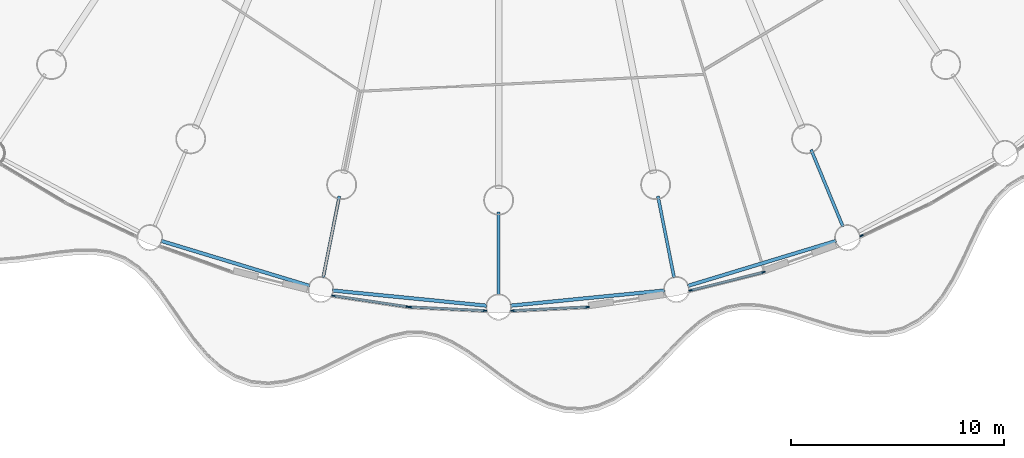
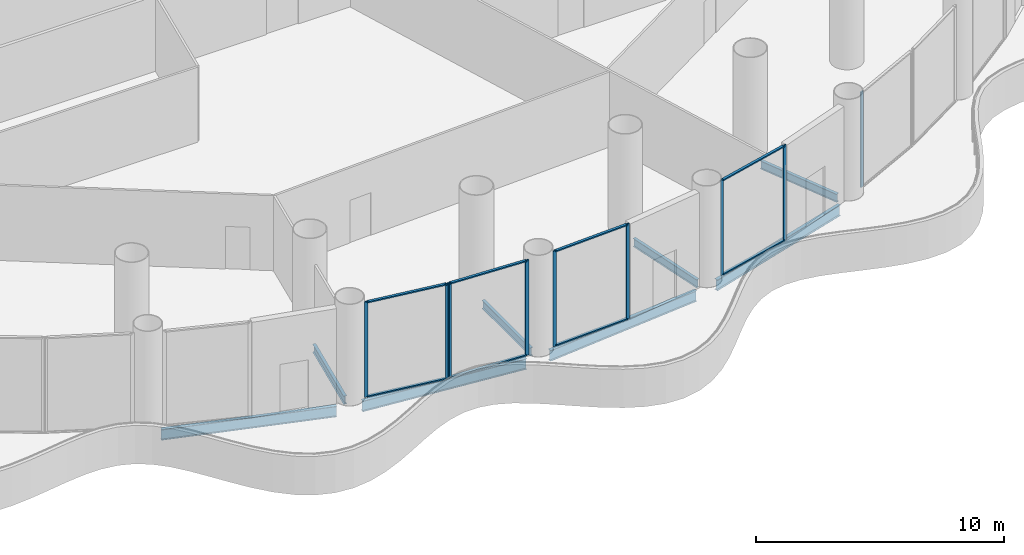
# One storey, part 5 of 35: 17 members, 8 beams, 5 elements without a shape of their own.
"""IFC4 building model written with IfcOpenShell, lengths in metres."""

from ifc_helpers import new_model, si_unit, direction, frame, origin, origin_2d, place, context, subcontext, project, spatial, rectangle, i_section, extrude, material, material_profile, profile_set, type_object, element, aggregate, save


model = new_model("IFC4")

# Units and contexts
model_context = context("Model", 3, precision=1e-05, world=origin(), true_north=direction((0.0, 1.0)))
body_context = subcontext(model_context, "Body", "Model", "MODEL_VIEW")
ifc_project = project(units=[si_unit("LENGTHUNIT", "METRE"), si_unit("AREAUNIT", "SQUARE_METRE"), si_unit("VOLUMEUNIT", "CUBIC_METRE"), si_unit("PLANEANGLEUNIT", "RADIAN"), si_unit("MASSUNIT", "GRAM", prefix="KILO")], contexts=[model_context])

# Site, building, storey
site_placement = place(None, origin())
site = spatial("IfcSite", under=ifc_project, at=site_placement, CompositionType="ELEMENT")
building_placement = place(site_placement, origin())
building = spatial("IfcBuilding", under=site, at=building_placement, Name="Corvane Civic Tower", CompositionType="ELEMENT")
storey_placement = place(building_placement, frame((0.0, 0.0, 22.0)))
storey = spatial("IfcBuildingStorey", under=building, at=storey_placement, Name="L04", CompositionType="ELEMENT", Elevation=22.0)

# Beams
ifc_material_1 = material(Name="Steel ASTM A992 Gr 50", Category="steel")
ifc_material_profile_1 = material_profile(ifc_material_1, i_section(OverallWidth=0.165771484375, OverallDepth=0.5283203125, WebThickness=0.009765625, FlangeThickness=0.013671875, at=origin_2d()), Name="W21X50")
ifc_profile_set_1 = profile_set([ifc_material_profile_1], Name="Steel ASTM A992 Gr 50")
beam_type_1 = type_object("IfcBeamType", Name="EDGE BEAM W21X50", PredefinedType="BEAM", material=ifc_profile_set_1)
for number, where, z_axis, x_axis, name in (
    (1, (15.814208984375, -39.609375, -0.564208984375), (-0.956938225664, -0.290291633127, 0.0), (0.290291633127, -0.956938225664, 0.0), "BM-L04-E15"),
    (2, (7.782958984375, -41.93359375, -0.564208984375), (-0.995187967953, -0.097984225478, 0.0), (0.097984225478, -0.995187967953, 0.0), "BM-L04-E16"),
    (3, (-0.54736328125, -42.64599609375, -0.564208984375), (-0.995187967953, 0.097984225478, 0.0), (-0.097984225478, -0.995187967953, 0.0), "BM-L04-E17"),
    (4, (-8.856689453125, -41.719970703125, -0.564208984375), (-0.956938225664, 0.290291633127, 0.0), (-0.290291633127, -0.956938225664, 0.0), "BM-L04-E18"),
):
    element("IfcBeam", number, at=place(storey_placement, frame(where, z_axis=z_axis, x_axis=x_axis)), inside=storey, type_object=beam_type_1, Name=name, PredefinedType="BEAM", context=body_context, shape_type="SweptSolid", body=[
        extrude(i_section(OverallWidth=0.165771484375, OverallDepth=0.5283203125, WebThickness=0.009765625, FlangeThickness=0.013671875, at=origin_2d()), origin(), (0.0, 0.0, 1.0), 7.2705078125),
    ])
ifc_material_2 = material(Name="Steel ASTM A992 Gr 50", Category="steel")
ifc_material_profile_2 = material_profile(ifc_material_2, i_section(OverallWidth=0.140380859375, OverallDepth=0.40380859375, WebThickness=0.007080078125, FlangeThickness=0.01123046875, at=origin_2d()), Name="W16X31")
ifc_profile_set_2 = profile_set([ifc_material_profile_2], Name="Steel ASTM A992 Gr 50")
beam_type_2 = type_object("IfcBeamType", Name="FLOOR GIRDER W16X31", PredefinedType="BEAM", material=ifc_profile_set_2)
for number, where, z_axis, x_axis, name in (
    (5, (14.6376953125, -35.33837890625, -0.501953125), (0.382685369162, -0.923878730261, 0.0), (0.923878730261, 0.382685369162, 0.0), "BM-L04-G15b"),
    (6, (7.462158203125, -37.51513671875, -0.501953125), (0.195128858343, -0.980777614264, 0.0), (0.980777614264, 0.195128858343, 0.0), "BM-L04-G16b"),
    (7, (0.0, -38.25, -0.501953125), (0.0, -1.0, 0.0), (1.0, 0.0, 0.0), "BM-L04-G17b"),
    (8, (-7.462158203125, -37.51513671875, -0.501953125), (-0.195128858343, -0.980777614264, 0.0), (0.980777614264, -0.195128858343, 0.0), "BM-L04-G18b"),
):
    element("IfcBeam", number, at=place(storey_placement, frame(where, z_axis=z_axis, x_axis=x_axis)), inside=storey, type_object=beam_type_2, Name=name, PredefinedType="BEAM", context=body_context, shape_type="SweptSolid", body=[
        extrude(i_section(OverallWidth=0.140380859375, OverallDepth=0.40380859375, WebThickness=0.007080078125, FlangeThickness=0.01123046875, at=origin_2d()), origin(), (0.0, 0.0, 1.0), 3.89990234375),
    ])

# Curtain wall, member
ifc_material_3 = material(Name="Aluminium and glass", Category="aluminium")
curtain_wall_type = type_object("IfcCurtainWallType", Name="PODIUM-CW-P-RUN", PredefinedType="NOTDEFINED", material=ifc_material_3)
curtain_wall_1_placement = place(storey_placement, origin())
curtain_wall_1 = element("IfcCurtainWall", 9, at=curtain_wall_1_placement, inside=storey, type_object=curtain_wall_type, Name="PODI run L04-drum-14B", PredefinedType="NOTDEFINED")
ifc_material_4 = material(Name="Anodised aluminium bronze", Category="aluminium")
ifc_material_profile_3 = material_profile(ifc_material_4, rectangle(XDim=0.06005859375, YDim=0.159912109375, at=origin_2d()), Name="AL 60x160")
ifc_profile_set_3 = profile_set([ifc_material_profile_3], Name="Anodised aluminium bronze")
member_type_1 = type_object("IfcMemberType", Name="PODIUM-CWP-MULLION-60x160", PredefinedType="MULLION", material=ifc_profile_set_3)
member_1_placement = place(storey_placement, frame((17.00439453125, -39.36767578125, 0.0), z_axis=(0.0, 0.0, 1.0), x_axis=(0.42755312852, -0.903990222454, 0.0)))
member_1 = element("IfcMember", 10, at=member_1_placement, type_object=member_type_1, Name="CW-P mullion 2", PredefinedType="MULLION", context=body_context, shape_type="SweptSolid", body=[
    extrude(rectangle(XDim=0.06005859375, YDim=0.159912109375, at=origin_2d()), origin(), (0.0, 0.0, 1.0), 4.699951171875),
])
aggregate(curtain_wall_1, [member_1])

# Curtain wall, members
curtain_wall_2_placement = place(storey_placement, origin())
curtain_wall_2 = element("IfcCurtainWall", 11, at=curtain_wall_2_placement, inside=storey, type_object=curtain_wall_type, Name="PODI run L04-drum-15B", PredefinedType="NOTDEFINED")
member_2_placement = place(storey_placement, frame((12.411865234375, -41.0732421875, 0.0), z_axis=(0.0, 0.0, 1.0), x_axis=(0.243008852393, -0.970024070659, 0.0)))
member_2 = element("IfcMember", 12, at=member_2_placement, type_object=member_type_1, Name="CW-P mullion 1", PredefinedType="MULLION", context=body_context, shape_type="SweptSolid", body=[
    extrude(rectangle(XDim=0.06005859375, YDim=0.159912109375, at=origin_2d()), origin(), (0.0, 0.0, 1.0), 4.699951171875),
])
member_3_placement = place(storey_placement, frame((8.99755859375, -41.9287109375, 0.0), z_axis=(0.0, 0.0, 1.0), x_axis=(0.243008852393, -0.970024070659, 0.0)))
member_3 = element("IfcMember", 13, at=member_3_placement, type_object=member_type_1, Name="CW-P mullion 2", PredefinedType="MULLION", context=body_context, shape_type="SweptSolid", body=[
    extrude(rectangle(XDim=0.06005859375, YDim=0.159912109375, at=origin_2d()), origin(), (0.0, 0.0, 1.0), 4.699951171875),
])

curtain_wall_3_placement = place(storey_placement, origin())
curtain_wall_3 = element("IfcCurtainWall", 14, at=curtain_wall_3_placement, inside=storey, type_object=curtain_wall_type, Name="PODI run L04-drum-16B", PredefinedType="NOTDEFINED")
member_4_placement = place(storey_placement, frame((4.16064453125, -42.70556640625, 0.0), z_axis=(0.0, 0.0, 1.0), x_axis=(0.04905015332, -0.998796316803, 0.0)))
member_4 = element("IfcMember", 15, at=member_4_placement, type_object=member_type_1, Name="CW-P mullion 1", PredefinedType="MULLION", context=body_context, shape_type="SweptSolid", body=[
    extrude(rectangle(XDim=0.06005859375, YDim=0.159912109375, at=origin_2d()), origin(), (0.0, 0.0, 1.0), 4.699951171875),
])
member_5_placement = place(storey_placement, frame((0.644775390625, -42.878173828125, 0.0), z_axis=(0.0, 0.0, 1.0), x_axis=(0.04905015332, -0.998796316803, 0.0)))
member_5 = element("IfcMember", 16, at=member_5_placement, type_object=member_type_1, Name="CW-P mullion 2", PredefinedType="MULLION", context=body_context, shape_type="SweptSolid", body=[
    extrude(rectangle(XDim=0.06005859375, YDim=0.159912109375, at=origin_2d()), origin(), (0.0, 0.0, 1.0), 4.699951171875),
])

curtain_wall_4_placement = place(storey_placement, origin())
curtain_wall_4 = element("IfcCurtainWall", 17, at=curtain_wall_4_placement, inside=storey, type_object=curtain_wall_type, Name="PODI run L04-drum-17A", PredefinedType="NOTDEFINED")
member_6_placement = place(storey_placement, frame((-0.644775390625, -42.878173828125, 0.0), z_axis=(0.0, 0.0, 1.0), x_axis=(-0.04905015332, -0.998796316803, 0.0)))
member_6 = element("IfcMember", 18, at=member_6_placement, type_object=member_type_1, Name="CW-P mullion 1", PredefinedType="MULLION", context=body_context, shape_type="SweptSolid", body=[
    extrude(rectangle(XDim=0.06005859375, YDim=0.159912109375, at=origin_2d()), origin(), (0.0, 0.0, 1.0), 4.699951171875),
])
member_7_placement = place(storey_placement, frame((-4.16064453125, -42.70556640625, 0.0), z_axis=(0.0, 0.0, 1.0), x_axis=(-0.04905015332, -0.998796316803, 0.0)))
member_7 = element("IfcMember", 19, at=member_7_placement, type_object=member_type_1, Name="CW-P mullion 2", PredefinedType="MULLION", context=body_context, shape_type="SweptSolid", body=[
    extrude(rectangle(XDim=0.06005859375, YDim=0.159912109375, at=origin_2d()), origin(), (0.0, 0.0, 1.0), 4.699951171875),
])

curtain_wall_5_placement = place(storey_placement, origin())
curtain_wall_5 = element("IfcCurtainWall", 20, at=curtain_wall_5_placement, inside=storey, type_object=curtain_wall_type, Name="PODI run L04-drum-17B", PredefinedType="NOTDEFINED")
member_8_placement = place(storey_placement, frame((-4.2509765625, -42.696533203125, 0.0), z_axis=(0.0, 0.0, 1.0), x_axis=(-0.146714694252, -0.989178850608, 0.0)))
member_8 = element("IfcMember", 21, at=member_8_placement, type_object=member_type_1, Name="CW-P mullion 1", PredefinedType="MULLION", context=body_context, shape_type="SweptSolid", body=[
    extrude(rectangle(XDim=0.06005859375, YDim=0.159912109375, at=origin_2d()), origin(), (0.0, 0.0, 1.0), 4.699951171875),
])
member_9_placement = place(storey_placement, frame((-7.732666015625, -42.18017578125, 0.0), z_axis=(0.0, 0.0, 1.0), x_axis=(-0.146714694252, -0.989178850608, 0.0)))
member_9 = element("IfcMember", 22, at=member_9_placement, type_object=member_type_1, Name="CW-P mullion 2", PredefinedType="MULLION", context=body_context, shape_type="SweptSolid", body=[
    extrude(rectangle(XDim=0.06005859375, YDim=0.159912109375, at=origin_2d()), origin(), (0.0, 0.0, 1.0), 4.699951171875),
])

# Member
ifc_material_5 = material(Name="Anodised aluminium bronze", Category="aluminium")
ifc_material_profile_4 = material_profile(ifc_material_5, rectangle(XDim=0.1201171875, YDim=0.06005859375, at=origin_2d()), Name="AL 120x60")
ifc_profile_set_4 = profile_set([ifc_material_profile_4], Name="Anodised aluminium bronze")
member_type_2 = type_object("IfcMemberType", Name="PODIUM-CWP-TRANSOM-60x120", PredefinedType="USERDEFINED", material=ifc_profile_set_4)
member_10_placement = place(storey_placement, frame((12.3828125, -41.08056640625, 0.030029296875), z_axis=(-0.970022009425, -0.243017080124, 0.0), x_axis=(0.243017080124, -0.970022009425, 0.0)))
member_10 = element("IfcMember", 23, at=member_10_placement, type_object=member_type_2, Name="CW-P transom 1.1", ObjectType="TRANSOM", PredefinedType="USERDEFINED", context=body_context, shape_type="SweptSolid", body=[
    extrude(rectangle(XDim=0.1201171875, YDim=0.06005859375, at=origin_2d()), origin(), (0.0, 0.0, 1.0), 3.4599609375),
])

member_11_placement = place(storey_placement, frame((12.3828125, -41.08056640625, 4.669921875), z_axis=(-0.970022009425, -0.243017080124, 0.0), x_axis=(0.243017080124, -0.970022009425, 0.0)))
member_11 = element("IfcMember", 24, at=member_11_placement, type_object=member_type_2, Name="CW-P transom 1.2", ObjectType="TRANSOM", PredefinedType="USERDEFINED", context=body_context, shape_type="SweptSolid", body=[
    extrude(rectangle(XDim=0.1201171875, YDim=0.06005859375, at=origin_2d()), origin(), (0.0, 0.0, 1.0), 3.4599609375),
])

aggregate(curtain_wall_2, [member_2, member_3, member_10, member_11])

member_12_placement = place(storey_placement, frame((4.130615234375, -42.70703125, 0.030029296875), z_axis=(-0.998796806423, -0.049040182301, 0.0), x_axis=(0.049040182301, -0.998796806423, 0.0)))
member_12 = element("IfcMember", 25, at=member_12_placement, type_object=member_type_2, Name="CW-P transom 1.1", ObjectType="TRANSOM", PredefinedType="USERDEFINED", context=body_context, shape_type="SweptSolid", body=[
    extrude(rectangle(XDim=0.1201171875, YDim=0.06005859375, at=origin_2d()), origin(), (0.0, 0.0, 1.0), 3.4599609375),
])

member_13_placement = place(storey_placement, frame((4.130615234375, -42.70703125, 4.669921875), z_axis=(-0.998796806423, -0.049040182301, 0.0), x_axis=(0.049040182301, -0.998796806423, 0.0)))
member_13 = element("IfcMember", 26, at=member_13_placement, type_object=member_type_2, Name="CW-P transom 1.2", ObjectType="TRANSOM", PredefinedType="USERDEFINED", context=body_context, shape_type="SweptSolid", body=[
    extrude(rectangle(XDim=0.1201171875, YDim=0.06005859375, at=origin_2d()), origin(), (0.0, 0.0, 1.0), 3.4599609375),
])

aggregate(curtain_wall_3, [member_4, member_5, member_12, member_13])

member_14_placement = place(storey_placement, frame((-0.6748046875, -42.876708984375, 0.030029296875), z_axis=(-0.998796806423, 0.049040182301, 0.0), x_axis=(-0.049040182301, -0.998796806423, 0.0)))
member_14 = element("IfcMember", 27, at=member_14_placement, type_object=member_type_2, Name="CW-P transom 1.1", ObjectType="TRANSOM", PredefinedType="USERDEFINED", context=body_context, shape_type="SweptSolid", body=[
    extrude(rectangle(XDim=0.1201171875, YDim=0.06005859375, at=origin_2d()), origin(), (0.0, 0.0, 1.0), 3.4599609375),
])

member_15_placement = place(storey_placement, frame((-0.6748046875, -42.876708984375, 4.669921875), z_axis=(-0.998796806423, 0.049040182301, 0.0), x_axis=(-0.049040182301, -0.998796806423, 0.0)))
member_15 = element("IfcMember", 28, at=member_15_placement, type_object=member_type_2, Name="CW-P transom 1.2", ObjectType="TRANSOM", PredefinedType="USERDEFINED", context=body_context, shape_type="SweptSolid", body=[
    extrude(rectangle(XDim=0.1201171875, YDim=0.06005859375, at=origin_2d()), origin(), (0.0, 0.0, 1.0), 3.4599609375),
])

aggregate(curtain_wall_4, [member_6, member_7, member_14, member_15])

member_16_placement = place(storey_placement, frame((-4.28076171875, -42.692138671875, 0.030029296875), z_axis=(-0.989180338828, 0.146704660039, 0.0), x_axis=(-0.146704660039, -0.989180338828, 0.0)))
member_16 = element("IfcMember", 29, at=member_16_placement, type_object=member_type_2, Name="CW-P transom 1.1", ObjectType="TRANSOM", PredefinedType="USERDEFINED", context=body_context, shape_type="SweptSolid", body=[
    extrude(rectangle(XDim=0.1201171875, YDim=0.06005859375, at=origin_2d()), origin(), (0.0, 0.0, 1.0), 3.459716796875),
])

member_17_placement = place(storey_placement, frame((-4.28076171875, -42.692138671875, 4.669921875), z_axis=(-0.989180338828, 0.146704660039, 0.0), x_axis=(-0.146704660039, -0.989180338828, 0.0)))
member_17 = element("IfcMember", 30, at=member_17_placement, type_object=member_type_2, Name="CW-P transom 1.2", ObjectType="TRANSOM", PredefinedType="USERDEFINED", context=body_context, shape_type="SweptSolid", body=[
    extrude(rectangle(XDim=0.1201171875, YDim=0.06005859375, at=origin_2d()), origin(), (0.0, 0.0, 1.0), 3.459716796875),
])

aggregate(curtain_wall_5, [member_8, member_9, member_16, member_17])

save(model, "model.ifc")
